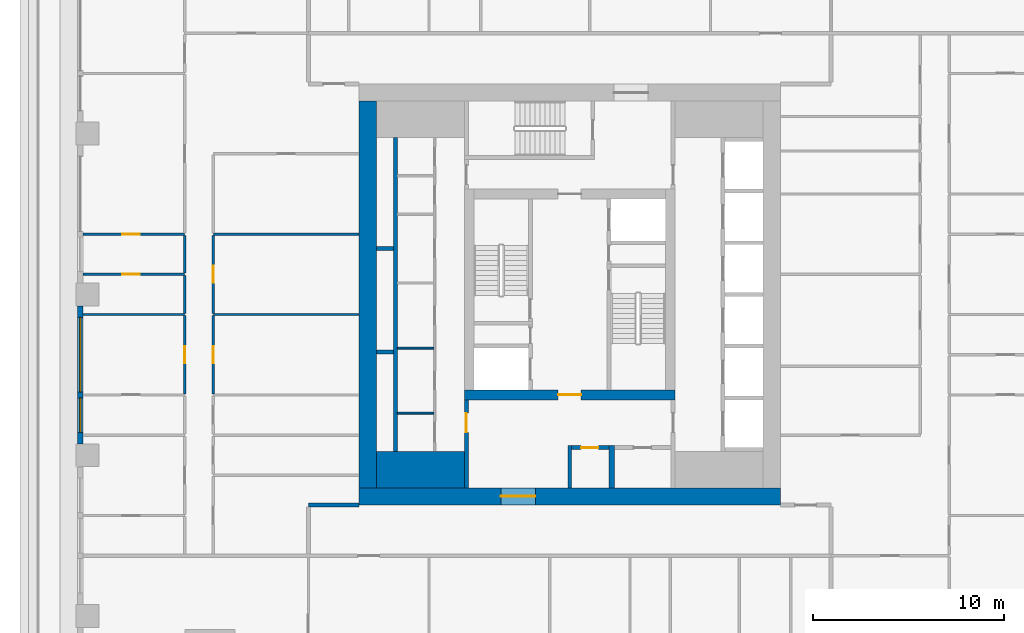
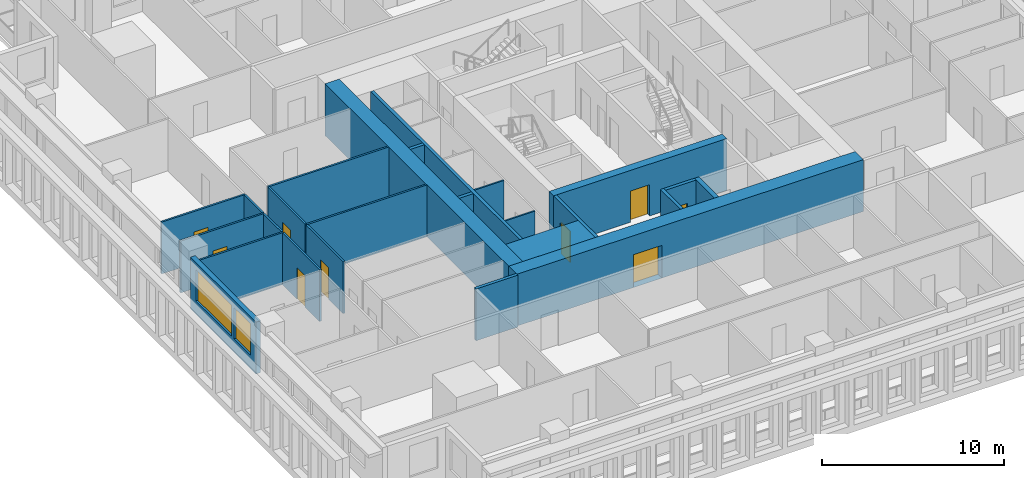
# One storey, part 3 of 16: 25 walls, 9 doors, 2 windows, 11 openings.
"""IFC4 building model written with IfcOpenShell, lengths in metres."""

from ifc_helpers import new_model, si_unit, direction, frame, frame_2d, origin, place, context, subcontext, project, spatial, rectangle, extrude, material, layer, layer_set, type_object, element, fill, save


model = new_model("IFC4")

# Units and contexts
model_context = context("Model", 3, precision=1e-05, world=origin(), true_north=direction((0.0, 1.0)))
body_context = subcontext(model_context, "Body", "Model", "MODEL_VIEW")
ifc_project = project(units=[si_unit("LENGTHUNIT", "METRE"), si_unit("AREAUNIT", "SQUARE_METRE"), si_unit("VOLUMEUNIT", "CUBIC_METRE"), si_unit("PLANEANGLEUNIT", "RADIAN"), si_unit("MASSUNIT", "GRAM", prefix="KILO")], contexts=[model_context])

# Site, building, storey
site_placement = place(None, origin())
site = spatial("IfcSite", under=ifc_project, at=site_placement, CompositionType="ELEMENT")
building_placement = place(site_placement, origin())
building = spatial("IfcBuilding", under=site, at=building_placement, Name="Khepri Terraces", CompositionType="ELEMENT")
storey_placement = place(building_placement, frame((0.0, 0.0, 149.39990234375)))
storey = spatial("IfcBuildingStorey", under=building, at=storey_placement, Name="L35", CompositionType="ELEMENT", Elevation=149.39990234375)

# Walls
ifc_material_1 = material(Name="Concrete C60/75", Category="concrete")
ifc_layer_1 = layer(ifc_material_1, 1.89990234375, Name="Concrete C60/75", Category="concrete")
ifc_layer_set_1 = layer_set([ifc_layer_1], Name="Concrete C60/75")
wall_type_1 = type_object("IfcWallType", Name="Core wall 1900 C60/75", PredefinedType="SHEAR", material=ifc_layer_set_1)
wall_1_placement = place(storey_placement, frame((-10.10009765625, -9.14990234375, 0.0), z_axis=(0.0, 0.0, 1.0), x_axis=(1.0, 0.0, 0.0)))
element("IfcWall", 1, at=wall_1_placement, inside=storey, type_object=wall_type_1, Name="Core wall PR01 L35", PredefinedType="SHEAR", context=body_context, shape_type="SweptSolid", body=[
    extrude(rectangle(XDim=4.60009765625, YDim=1.89990234375, at=frame_2d((2.300048828125, 0.0))), origin(), (0.0, 0.0, 1.0), 3.47998046875),
])
ifc_layer_2 = layer(ifc_material_1, 0.199951171875, Name="Concrete C60/75", Category="concrete")
ifc_layer_set_2 = layer_set([ifc_layer_2], Name="Concrete C60/75")
wall_type_2 = type_object("IfcWallType", Name="Core wall 200 C60/75", PredefinedType="SHEAR", material=ifc_layer_set_2)
wall_2_placement = place(storey_placement, frame((-9.10009765625, -8.199951171875, 0.0), z_axis=(0.0, 0.0, 1.0), x_axis=(0.0, 1.0, 0.0)))
element("IfcWall", 2, at=wall_2_placement, inside=storey, type_object=wall_type_2, Name="Core wall SH01 L35", PredefinedType="SHEAR", context=body_context, shape_type="SweptSolid", body=[
    extrude(rectangle(XDim=16.39990234375, YDim=0.199951171875, at=frame_2d((8.199951171875, 0.0))), origin(), (0.0, 0.0, 1.0), 3.47998046875),
])
for number, where, z_axis, x_axis, name in (
    (3, (-10.10009765625, -3.0, 0.0), (0.0, 0.0, 1.0), (1.0, 0.0, 0.0), "Core wall SH06 L35"),
    (4, (-10.10009765625, 2.39990234375, 0.0), (0.0, 0.0, 1.0), (1.0, 0.0, 0.0), "Core wall SH11 L35"),
):
    element("IfcWall", number, at=place(storey_placement, frame(where, z_axis=z_axis, x_axis=x_axis)), inside=storey, type_object=wall_type_2, Name=name, PredefinedType="SHEAR", context=body_context, shape_type="SweptSolid", body=[
        extrude(rectangle(XDim=0.900146484375, YDim=0.199951171875, at=frame_2d((0.4501953125, 0.0))), origin(), (0.0, 0.0, 1.0), 3.47998046875),
    ])

# Wall, opening, door
ifc_layer_3 = layer(ifc_material_1, 0.5, Name="Concrete C60/75", Category="concrete")
ifc_layer_set_3 = layer_set([ifc_layer_3], Name="Concrete C60/75")
wall_type_3 = type_object("IfcWallType", Name="Core wall 500 C60/75", PredefinedType="SHEAR", material=ifc_layer_set_3)
wall_3_placement = place(storey_placement, frame((-5.5, -5.25, 0.0), z_axis=(0.0, 0.0, 1.0), x_axis=(1.0, 0.0, 0.0)))
wall_3 = element("IfcWall", 5, at=wall_3_placement, inside=storey, type_object=wall_type_3, Name="Core wall BX01 L35", PredefinedType="SHEAR", context=body_context, shape_type="SweptSolid", body=[
    extrude(rectangle(XDim=11.0, YDim=0.5, at=frame_2d((5.5, 0.0))), origin(), (0.0, 0.0, 1.0), 3.47998046875),
])
opening_1_placement = place(wall_3_placement, frame((4.89990234375, 0.0, 0.0)))
opening_1 = element("IfcOpeningElement", 6, at=opening_1_placement, cuts=wall_3, Name="Opening L35-C14", PredefinedType="OPENING", context=body_context, shape_type="SweptSolid", body=[
    extrude(rectangle(XDim=1.199951171875, YDim=2.10009765625, at=frame_2d((0.60009765625, 1.050048828125))), frame((0.0, 0.260009765625, 0.0), z_axis=(0.0, -1.0, 0.0), x_axis=(1.0, 0.0, 0.0)), (0.0, 0.0, 1.0), 0.52001953125),
])
ifc_material_2 = material(Name="Painted steel", Category="steel")
door_type_1 = type_object("IfcDoorType", Name="DR-CORE-FF-LOBBY-1200", OperationType="NOTDEFINED", PredefinedType="DOOR", material=ifc_material_2)
door_1_placement = place(opening_1_placement, origin())
door_1 = element("IfcDoor", 7, at=door_1_placement, inside=storey, type_object=door_type_1, Name="Firefighting lobby door L35-C14", OperationType="SINGLE_SWING_RIGHT", OverallHeight=2.10009765625, OverallWidth=1.199951171875, PredefinedType="DOOR", context=body_context, shape_type="SweptSolid", body=[
    extrude(rectangle(XDim=1.199951171875, YDim=2.10009765625, at=frame_2d((0.60009765625, 1.050048828125))), frame((0.0, 0.02490234375, 0.0), z_axis=(0.0, -1.0, 0.0), x_axis=(1.0, 0.0, 0.0)), (0.0, 0.0, 1.0), 0.050048828125),
])
fill(opening_1, door_1)

ifc_layer_4 = layer(ifc_material_1, 0.89990234375, Name="Concrete C60/75", Category="concrete")
ifc_layer_set_4 = layer_set([ifc_layer_4], Name="Concrete C60/75")
wall_type_4 = type_object("IfcWallType", Name="Core wall 900 C60/75", PredefinedType="SHEAR", material=ifc_layer_set_4)
wall_4_placement = place(storey_placement, frame((-11.0, -10.550048828125, 0.0), z_axis=(0.0, 0.0, 1.0), x_axis=(1.0, 0.0, 0.0)))
wall_4 = element("IfcWall", 8, at=wall_4_placement, inside=storey, type_object=wall_type_4, Name="Core wall OW-S L35", PredefinedType="SHEAR", context=body_context, shape_type="SweptSolid", body=[
    extrude(rectangle(XDim=22.0, YDim=0.89990234375, at=frame_2d((11.0, 0.0))), origin(), (0.0, 0.0, 1.0), 3.47998046875),
])
opening_2_placement = place(wall_4_placement, frame((7.39990234375, 0.0, 0.0)))
opening_2 = element("IfcOpeningElement", 9, at=opening_2_placement, cuts=wall_4, Name="Opening L35-C21", PredefinedType="OPENING", context=body_context, shape_type="SweptSolid", body=[
    extrude(rectangle(XDim=1.800048828125, YDim=2.199951171875, at=frame_2d((0.89990234375, 1.10009765625))), frame((0.0, 0.4599609375, 0.0), z_axis=(0.0, -1.0, 0.0), x_axis=(1.0, 0.0, 0.0)), (0.0, 0.0, 1.0), 0.919921875),
])
door_type_2 = type_object("IfcDoorType", Name="DR-CORE-ENTRANCE-1800", OperationType="NOTDEFINED", PredefinedType="DOOR", material=ifc_material_2)
door_2_placement = place(opening_2_placement, frame((1.800048828125, 0.0, 0.0), z_axis=(0.0, 0.0, 1.0), x_axis=(-1.0, 0.0, 0.0)))
door_2 = element("IfcDoor", 10, at=door_2_placement, inside=storey, type_object=door_type_2, Name="Core entrance door pair L35-C21", OperationType="DOUBLE_DOOR_SINGLE_SWING", OverallHeight=2.199951171875, OverallWidth=1.800048828125, PredefinedType="DOOR", context=body_context, shape_type="SweptSolid", body=[
    extrude(rectangle(XDim=1.800048828125, YDim=2.199951171875, at=frame_2d((0.89990234375, 1.10009765625))), frame((0.0, 0.02490234375, 0.0), z_axis=(0.0, -1.0, 0.0), x_axis=(1.0, 0.0, 0.0)), (0.0, 0.0, 1.0), 0.050048828125),
])
fill(opening_2, door_2)

# Walls
wall_5_placement = place(storey_placement, frame((-10.550048828125, -10.10009765625, 0.0), z_axis=(0.0, 0.0, 1.0), x_axis=(0.0, 1.0, 0.0)))
element("IfcWall", 11, at=wall_5_placement, inside=storey, type_object=wall_type_4, Name="Core wall OW-W L35", PredefinedType="SHEAR", context=body_context, shape_type="SweptSolid", body=[
    extrude(rectangle(XDim=20.2001953125, YDim=0.89990234375, at=frame_2d((10.10009765625, 0.0))), origin(), (0.0, 0.0, 1.0), 3.47998046875),
])
ifc_material_3 = material(Name="Fire-rated gypsum board partition")
ifc_layer_5 = layer(ifc_material_3, 0.10009765625, Name="Fire-rated gypsum board partition")
ifc_layer_set_5 = layer_set([ifc_layer_5], Name="Fire-rated gypsum board partition")
wall_type_5 = type_object("IfcWallType", Name="WL-CORE-PART-100", PredefinedType="PARTITIONING", material=ifc_layer_set_5)
for number, where, z_axis, x_axis, name in (
    (12, (-9.0, -6.199951171875, 0.0), (0.0, 0.0, 1.0), (1.0, 0.0, 0.0), "Core partition PT08 L35"),
    (13, (-9.0, -2.800048828125, 0.0), (0.0, 0.0, 1.0), (1.0, 0.0, 0.0), "Core partition PT09 L35"),
):
    element("IfcWall", number, at=place(storey_placement, frame(where, z_axis=z_axis, x_axis=x_axis)), inside=storey, type_object=wall_type_5, Name=name, PredefinedType="PARTITIONING", context=body_context, shape_type="SweptSolid", body=[
        extrude(rectangle(XDim=1.89990234375, YDim=0.10009765625, at=frame_2d((0.949951171875, 0.0))), origin(), (0.0, 0.0, 1.0), 3.47998046875),
    ])

# Wall, opening, door
ifc_layer_6 = layer(ifc_material_3, 0.199951171875, Name="Fire-rated gypsum board partition")
ifc_layer_set_6 = layer_set([ifc_layer_6], Name="Fire-rated gypsum board partition")
wall_type_6 = type_object("IfcWallType", Name="WL-CORE-PART-200", PredefinedType="PARTITIONING", material=ifc_layer_set_6)
wall_6_placement = place(storey_placement, frame((-5.39990234375, -10.10009765625, 0.0), z_axis=(0.0, 0.0, 1.0), x_axis=(0.0, 1.0, 0.0)))
wall_6 = element("IfcWall", 14, at=wall_6_placement, inside=storey, type_object=wall_type_6, Name="Core partition PT01 L35", PredefinedType="PARTITIONING", context=body_context, shape_type="SweptSolid", body=[
    extrude(rectangle(XDim=4.60009765625, YDim=0.199951171875, at=frame_2d((2.300048828125, 0.0))), origin(), (0.0, 0.0, 1.0), 3.47998046875),
])
opening_3_placement = place(wall_6_placement, frame((2.89990234375, 0.0, 0.0)))
opening_3 = element("IfcOpeningElement", 15, at=opening_3_placement, cuts=wall_6, Name="Opening L35-C18", PredefinedType="OPENING", context=body_context, shape_type="SweptSolid", body=[
    extrude(rectangle(XDim=1.0, YDim=2.10009765625, at=frame_2d((0.5, 1.050048828125))), frame((0.0, 0.10986328125, 0.0), z_axis=(0.0, -1.0, 0.0), x_axis=(1.0, 0.0, 0.0)), (0.0, 0.0, 1.0), 0.219970703125),
])
door_type_3 = type_object("IfcDoorType", Name="DR-CORE-LOBBY-1000", OperationType="NOTDEFINED", PredefinedType="DOOR", material=ifc_material_2)
door_3_placement = place(opening_3_placement, frame((1.0, 0.0, 0.0), z_axis=(0.0, 0.0, 1.0), x_axis=(-1.0, 0.0, 0.0)))
door_3 = element("IfcDoor", 16, at=door_3_placement, inside=storey, type_object=door_type_3, Name="Lobby door L35-C18", OperationType="SINGLE_SWING_LEFT", OverallHeight=2.10009765625, OverallWidth=1.0, PredefinedType="DOOR", context=body_context, shape_type="SweptSolid", body=[
    extrude(rectangle(XDim=1.0, YDim=2.10009765625, at=frame_2d((0.5, 1.050048828125))), frame((0.0, 0.02490234375, 0.0), z_axis=(0.0, -1.0, 0.0), x_axis=(1.0, 0.0, 0.0)), (0.0, 0.0, 1.0), 0.050048828125),
])
fill(opening_3, door_3)

# Wall
wall_7_placement = place(storey_placement, frame((0.0, -10.10009765625, 0.0), z_axis=(0.0, 0.0, 1.0), x_axis=(0.0, 1.0, 0.0)))
element("IfcWall", 17, at=wall_7_placement, inside=storey, type_object=wall_type_6, Name="Core partition PT02 L35", PredefinedType="PARTITIONING", context=body_context, shape_type="SweptSolid", body=[
    extrude(rectangle(XDim=2.2001953125, YDim=0.199951171875, at=frame_2d((1.10009765625, 0.0))), origin(), (0.0, 0.0, 1.0), 3.47998046875),
])

# Wall, opening, door
wall_8_placement = place(storey_placement, frame((0.10009765625, -8.0, 0.0), z_axis=(0.0, 0.0, 1.0), x_axis=(1.0, 0.0, 0.0)))
wall_8 = element("IfcWall", 18, at=wall_8_placement, inside=storey, type_object=wall_type_6, Name="Core partition PT06 L35", PredefinedType="PARTITIONING", context=body_context, shape_type="SweptSolid", body=[
    extrude(rectangle(XDim=1.949951171875, YDim=0.199951171875, at=frame_2d((0.97509765625, 0.0))), origin(), (0.0, 0.0, 1.0), 3.47998046875),
])
opening_4_placement = place(wall_8_placement, frame((0.5, 0.0, 0.0)))
opening_4 = element("IfcOpeningElement", 19, at=opening_4_placement, cuts=wall_8, Name="Opening L35-C22", PredefinedType="OPENING", context=body_context, shape_type="SweptSolid", body=[
    extrude(rectangle(XDim=0.89990234375, YDim=2.10009765625, at=frame_2d((0.449951171875, 1.050048828125))), frame((0.0, 0.10986328125, 0.0), z_axis=(0.0, -1.0, 0.0), x_axis=(1.0, 0.0, 0.0)), (0.0, 0.0, 1.0), 0.219970703125),
])
door_type_4 = type_object("IfcDoorType", Name="DR-CORE-SERVICE-900", OperationType="NOTDEFINED", PredefinedType="DOOR", material=ifc_material_2)
door_4_placement = place(opening_4_placement, frame((0.89990234375, 0.0, 0.0), z_axis=(0.0, 0.0, 1.0), x_axis=(-1.0, 0.0, 0.0)))
door_4 = element("IfcDoor", 20, at=door_4_placement, inside=storey, type_object=door_type_4, Name="Service room door L35-C22", OperationType="SINGLE_SWING_RIGHT", OverallHeight=2.10009765625, OverallWidth=0.89990234375, PredefinedType="DOOR", context=body_context, shape_type="SweptSolid", body=[
    extrude(rectangle(XDim=0.89990234375, YDim=2.10009765625, at=frame_2d((0.449951171875, 1.050048828125))), frame((0.0, 0.02490234375, 0.0), z_axis=(0.0, -1.0, 0.0), x_axis=(1.0, 0.0, 0.0)), (0.0, 0.0, 1.0), 0.050048828125),
])
fill(opening_4, door_4)

# Walls
ifc_layer_7 = layer(ifc_material_3, 0.300048828125, Name="Fire-rated gypsum board partition")
ifc_layer_set_7 = layer_set([ifc_layer_7], Name="Fire-rated gypsum board partition")
wall_type_7 = type_object("IfcWallType", Name="WL-CORE-PART-300", PredefinedType="PARTITIONING", material=ifc_layer_set_7)
wall_9_placement = place(storey_placement, frame((2.199951171875, -10.10009765625, 0.0), z_axis=(0.0, 0.0, 1.0), x_axis=(0.0, 1.0, 0.0)))
element("IfcWall", 21, at=wall_9_placement, inside=storey, type_object=wall_type_7, Name="Core partition PT03 L35", PredefinedType="PARTITIONING", context=body_context, shape_type="SweptSolid", body=[
    extrude(rectangle(XDim=2.2001953125, YDim=0.300048828125, at=frame_2d((1.10009765625, 0.0))), origin(), (0.0, 0.0, 1.0), 3.47998046875),
])
ifc_material_4 = material(Name="Fire-rated gypsum plasterboard partition, mineral wool")
ifc_layer_8 = layer(ifc_material_4, 0.199951171875, Name="Fire-rated gypsum plasterboard partition, mineral wool")
ifc_layer_set_8 = layer_set([ifc_layer_8], Name="Fire-rated gypsum plasterboard partition, mineral wool")
wall_type_8 = type_object("IfcWallType", Name="WL-CORR-200", PredefinedType="PARTITIONING", material=ifc_layer_set_8)
wall_10_placement = place(storey_placement, frame((-13.64990234375, -11.0, 0.0), z_axis=(0.0, 0.0, 1.0), x_axis=(1.0, 0.0, 0.0)))
element("IfcWall", 22, at=wall_10_placement, inside=storey, type_object=wall_type_8, Name="Partition P-030 L35", PredefinedType="PARTITIONING", context=body_context, shape_type="SweptSolid", body=[
    extrude(rectangle(XDim=2.64990234375, YDim=0.199951171875, at=frame_2d((1.324951171875, 0.0))), origin(), (0.0, 0.0, 1.0), 3.47998046875),
])

# Wall, openings, windows
ifc_material_5 = material(Name="Precast concrete C50/60 warm stone", Category="masonry")
ifc_layer_9 = layer(ifc_material_5, 0.300048828125, Name="Precast concrete C50/60 warm stone", Category="masonry")
ifc_layer_set_9 = layer_set([ifc_layer_9], Name="Precast concrete C50/60 warm stone")
wall_type_9 = type_object("IfcWallType", Name="WL-EXT-PRECAST-300", PredefinedType="STANDARD", material=ifc_layer_set_9)
wall_11_placement = place(storey_placement, frame((-25.570068359375, -0.60009765625, 0.0), z_axis=(0.0, 0.0, 1.0), x_axis=(0.0, -1.0, 0.0)))
wall_11 = element("IfcWall", 23, at=wall_11_placement, inside=storey, type_object=wall_type_9, Name="External wall L35 W", PredefinedType="STANDARD", context=body_context, shape_type="SweptSolid", body=[
    extrude(rectangle(XDim=7.199951171875, YDim=0.300048828125, at=frame_2d((3.60009765625, 0.0))), origin(), (0.0, 0.0, 1.0), 3.47998046875),
])
opening_5_placement = place(wall_11_placement, frame((0.60009765625, 0.0, 0.89990234375)))
opening_5 = element("IfcOpeningElement", 24, at=opening_5_placement, cuts=wall_11, Name="Opening W2", PredefinedType="OPENING", context=body_context, shape_type="SweptSolid", body=[
    extrude(rectangle(XDim=3.89990234375, YDim=2.10009765625, at=frame_2d((1.949951171875, 1.050048828125))), frame((0.0, 0.16015625, 0.0), z_axis=(0.0, -1.0, 0.0), x_axis=(1.0, 0.0, 0.0)), (0.0, 0.0, 1.0), 0.320068359375),
])
opening_6_placement = place(wall_11_placement, frame((4.800048828125, 0.0, 0.89990234375)))
opening_6 = element("IfcOpeningElement", 25, at=opening_6_placement, cuts=wall_11, Name="Opening W1", PredefinedType="OPENING", context=body_context, shape_type="SweptSolid", body=[
    extrude(rectangle(XDim=1.800048828125, YDim=2.10009765625, at=frame_2d((0.89990234375, 1.050048828125))), frame((0.0, 0.16015625, 0.0), z_axis=(0.0, -1.0, 0.0), x_axis=(1.0, 0.0, 0.0)), (0.0, 0.0, 1.0), 0.320068359375),
])
ifc_material_6 = material(Name="Clear glass", Category="glass")
window_type_1 = type_object("IfcWindowType", Name="WIN-RES-1800x2100", PartitioningType="SINGLE_PANEL", PredefinedType="WINDOW", material=ifc_material_6)
window_1_placement = place(opening_6_placement, origin())
window_1 = element("IfcWindow", 26, at=window_1_placement, inside=storey, type_object=window_type_1, Name="Window L35 W", OverallHeight=2.10009765625, OverallWidth=1.800048828125, PartitioningType="SINGLE_PANEL", PredefinedType="WINDOW", context=body_context, shape_type="SweptSolid", body=[
    extrude(rectangle(XDim=1.800048828125, YDim=2.10009765625, at=frame_2d((0.89990234375, 1.050048828125))), frame((0.0, 0.030029296875, 0.0), z_axis=(0.0, -1.0, 0.0), x_axis=(1.0, 0.0, 0.0)), (0.0, 0.0, 1.0), 0.06005859375),
])
fill(opening_6, window_1)
window_type_2 = type_object("IfcWindowType", Name="WIN-RES-3900x2100", PartitioningType="SINGLE_PANEL", PredefinedType="WINDOW", material=ifc_material_6)
window_2_placement = place(opening_5_placement, origin())
window_2 = element("IfcWindow", 27, at=window_2_placement, inside=storey, type_object=window_type_2, Name="Window L35 W", OverallHeight=2.10009765625, OverallWidth=3.89990234375, PartitioningType="SINGLE_PANEL", PredefinedType="WINDOW", context=body_context, shape_type="SweptSolid", body=[
    extrude(rectangle(XDim=3.89990234375, YDim=2.10009765625, at=frame_2d((1.949951171875, 1.050048828125))), frame((0.0, 0.030029296875, 0.0), z_axis=(0.0, -1.0, 0.0), x_axis=(1.0, 0.0, 0.0)), (0.0, 0.0, 1.0), 0.06005859375),
])
fill(opening_5, window_2)

# Wall, opening, door
ifc_material_7 = material(Name="Gypsum plasterboard partition")
ifc_layer_10 = layer(ifc_material_7, 0.1201171875, Name="Gypsum plasterboard partition")
ifc_layer_set_10 = layer_set([ifc_layer_10], Name="Gypsum plasterboard partition")
wall_type_10 = type_object("IfcWallType", Name="WL-PART-120", PredefinedType="PARTITIONING", material=ifc_layer_set_10)
wall_12_placement = place(storey_placement, frame((-20.1201171875, -5.18994140625, 0.0), z_axis=(0.0, 0.0, 1.0), x_axis=(0.0, 1.0, 0.0)))
wall_12 = element("IfcWall", 28, at=wall_12_placement, inside=storey, type_object=wall_type_10, Name="Partition P-043 L35", PredefinedType="PARTITIONING", context=body_context, shape_type="SweptSolid", body=[
    extrude(rectangle(XDim=4.079833984375, YDim=0.1201171875, at=frame_2d((2.0400390625, 0.0))), origin(), (0.0, 0.0, 1.0), 3.47998046875),
])
opening_7_placement = place(wall_12_placement, frame((1.590087890625, 0.0, 0.0)))
opening_7 = element("IfcOpeningElement", 29, at=opening_7_placement, cuts=wall_12, Name="Opening D3", PredefinedType="OPENING", context=body_context, shape_type="SweptSolid", body=[
    extrude(rectangle(XDim=0.89990234375, YDim=2.10009765625, at=frame_2d((0.449951171875, 1.050048828125))), frame((0.0, 0.070068359375, 0.0), z_axis=(0.0, -1.0, 0.0), x_axis=(1.0, 0.0, 0.0)), (0.0, 0.0, 1.0), 0.14013671875),
])
ifc_material_8 = material(Name="Timber door leaf", Category="wood")
door_type_5 = type_object("IfcDoorType", Name="DR-INT-900", OperationType="NOTDEFINED", PredefinedType="DOOR", material=ifc_material_8)
door_5_placement = place(opening_7_placement, origin())
door_5 = element("IfcDoor", 30, at=door_5_placement, inside=storey, type_object=door_type_5, Name="Door Bedroom", OperationType="SINGLE_SWING_RIGHT", OverallHeight=2.10009765625, OverallWidth=0.89990234375, PredefinedType="DOOR", context=body_context, shape_type="SweptSolid", body=[
    extrude(rectangle(XDim=0.89990234375, YDim=2.10009765625, at=frame_2d((0.449951171875, 1.050048828125))), frame((0.0, 0.02490234375, 0.0), z_axis=(0.0, -1.0, 0.0), x_axis=(1.0, 0.0, 0.0)), (0.0, 0.0, 1.0), 0.050048828125),
])
fill(opening_7, door_5)

wall_13_placement = place(storey_placement, frame((-18.6201171875, -5.18994140625, 0.0), z_axis=(0.0, 0.0, 1.0), x_axis=(0.0, 1.0, 0.0)))
wall_13 = element("IfcWall", 31, at=wall_13_placement, inside=storey, type_object=wall_type_10, Name="Partition P-044 L35", PredefinedType="PARTITIONING", context=body_context, shape_type="SweptSolid", body=[
    extrude(rectangle(XDim=4.079833984375, YDim=0.1201171875, at=frame_2d((2.0400390625, 0.0))), origin(), (0.0, 0.0, 1.0), 3.47998046875),
])
opening_8_placement = place(wall_13_placement, frame((1.590087890625, 0.0, 0.0)))
opening_8 = element("IfcOpeningElement", 32, at=opening_8_placement, cuts=wall_13, Name="Opening D3", PredefinedType="OPENING", context=body_context, shape_type="SweptSolid", body=[
    extrude(rectangle(XDim=0.89990234375, YDim=2.10009765625, at=frame_2d((0.449951171875, 1.050048828125))), frame((0.0, 0.070068359375, 0.0), z_axis=(0.0, -1.0, 0.0), x_axis=(1.0, 0.0, 0.0)), (0.0, 0.0, 1.0), 0.14013671875),
])
door_6_placement = place(opening_8_placement, frame((0.89990234375, 0.0, 0.0), z_axis=(0.0, 0.0, 1.0), x_axis=(-1.0, 0.0, 0.0)))
door_6 = element("IfcDoor", 33, at=door_6_placement, inside=storey, type_object=door_type_5, Name="Door Staff Bedroom", OperationType="SINGLE_SWING_LEFT", OverallHeight=2.10009765625, OverallWidth=0.89990234375, PredefinedType="DOOR", context=body_context, shape_type="SweptSolid", body=[
    extrude(rectangle(XDim=0.89990234375, YDim=2.10009765625, at=frame_2d((0.449951171875, 1.050048828125))), frame((0.0, 0.02490234375, 0.0), z_axis=(0.0, -1.0, 0.0), x_axis=(1.0, 0.0, 0.0)), (0.0, 0.0, 1.0), 0.050048828125),
])
fill(opening_8, door_6)

# Walls
wall_14_placement = place(storey_placement, frame((-25.419921875, -1.050048828125, 0.0), z_axis=(0.0, 0.0, 1.0), x_axis=(1.0, 0.0, 0.0)))
element("IfcWall", 34, at=wall_14_placement, inside=storey, type_object=wall_type_10, Name="Partition P-050 L35", PredefinedType="PARTITIONING", context=body_context, shape_type="SweptSolid", body=[
    extrude(rectangle(XDim=5.2998046875, YDim=0.1201171875, at=frame_2d((2.64990234375, 0.0))), origin(), (0.0, 0.0, 1.0), 3.47998046875),
])
wall_15_placement = place(storey_placement, frame((-18.6201171875, -1.050048828125, 0.0), z_axis=(0.0, 0.0, 1.0), x_axis=(1.0, 0.0, 0.0)))
element("IfcWall", 35, at=wall_15_placement, inside=storey, type_object=wall_type_10, Name="Partition P-051 L35", PredefinedType="PARTITIONING", context=body_context, shape_type="SweptSolid", body=[
    extrude(rectangle(XDim=7.6201171875, YDim=0.1201171875, at=frame_2d((3.81005859375, 0.0))), origin(), (0.0, 0.0, 1.0), 3.47998046875),
])
wall_16_placement = place(storey_placement, frame((-20.1201171875, -0.989990234375, 0.0), z_axis=(0.0, 0.0, 1.0), x_axis=(0.0, 1.0, 0.0)))
element("IfcWall", 36, at=wall_16_placement, inside=storey, type_object=wall_type_10, Name="Partition P-053 L35", PredefinedType="PARTITIONING", context=body_context, shape_type="SweptSolid", body=[
    extrude(rectangle(XDim=1.97998046875, YDim=0.1201171875, at=frame_2d((0.989990234375, 0.0))), origin(), (0.0, 0.0, 1.0), 3.47998046875),
])

# Wall, opening, door
wall_17_placement = place(storey_placement, frame((-18.6201171875, -0.989990234375, 0.0), z_axis=(0.0, 0.0, 1.0), x_axis=(0.0, 1.0, 0.0)))
wall_17 = element("IfcWall", 37, at=wall_17_placement, inside=storey, type_object=wall_type_10, Name="Partition P-054 L35", PredefinedType="PARTITIONING", context=body_context, shape_type="SweptSolid", body=[
    extrude(rectangle(XDim=4.080078125, YDim=0.1201171875, at=frame_2d((2.0400390625, 0.0))), origin(), (0.0, 0.0, 1.0), 3.47998046875),
])
opening_9_placement = place(wall_17_placement, frame((1.590087890625, 0.0, 0.0)))
opening_9 = element("IfcOpeningElement", 38, at=opening_9_placement, cuts=wall_17, Name="Opening D3", PredefinedType="OPENING", context=body_context, shape_type="SweptSolid", body=[
    extrude(rectangle(XDim=0.89990234375, YDim=2.10009765625, at=frame_2d((0.449951171875, 1.050048828125))), frame((0.0, 0.070068359375, 0.0), z_axis=(0.0, -1.0, 0.0), x_axis=(1.0, 0.0, 0.0)), (0.0, 0.0, 1.0), 0.14013671875),
])
door_7_placement = place(opening_9_placement, frame((0.89990234375, 0.0, 0.0), z_axis=(0.0, 0.0, 1.0), x_axis=(-1.0, 0.0, 0.0)))
door_7 = element("IfcDoor", 39, at=door_7_placement, inside=storey, type_object=door_type_5, Name="Door Service Store", OperationType="SINGLE_SWING_LEFT", OverallHeight=2.10009765625, OverallWidth=0.89990234375, PredefinedType="DOOR", context=body_context, shape_type="SweptSolid", body=[
    extrude(rectangle(XDim=0.89990234375, YDim=2.10009765625, at=frame_2d((0.449951171875, 1.050048828125))), frame((0.0, 0.02490234375, 0.0), z_axis=(0.0, -1.0, 0.0), x_axis=(1.0, 0.0, 0.0)), (0.0, 0.0, 1.0), 0.050048828125),
])
fill(opening_9, door_7)

wall_18_placement = place(storey_placement, frame((-25.419921875, 1.050048828125, 0.0), z_axis=(0.0, 0.0, 1.0), x_axis=(1.0, 0.0, 0.0)))
wall_18 = element("IfcWall", 40, at=wall_18_placement, inside=storey, type_object=wall_type_10, Name="Partition P-056 L35", PredefinedType="PARTITIONING", context=body_context, shape_type="SweptSolid", body=[
    extrude(rectangle(XDim=5.2998046875, YDim=0.1201171875, at=frame_2d((2.64990234375, 0.0))), origin(), (0.0, 0.0, 1.0), 3.47998046875),
])
opening_10_placement = place(wall_18_placement, frame((2.050048828125, 0.0, 0.0)))
opening_10 = element("IfcOpeningElement", 41, at=opening_10_placement, cuts=wall_18, Name="Opening D4", PredefinedType="OPENING", context=body_context, shape_type="SweptSolid", body=[
    extrude(rectangle(XDim=0.89990234375, YDim=2.10009765625, at=frame_2d((0.449951171875, 1.050048828125))), frame((0.0, 0.070068359375, 0.0), z_axis=(0.0, -1.0, 0.0), x_axis=(1.0, 0.0, 0.0)), (0.0, 0.0, 1.0), 0.14013671875),
])
ifc_material_9 = material(Name="Timber door leaf, moisture resistant", Category="wood")
door_type_6 = type_object("IfcDoorType", Name="DR-WET-900", OperationType="NOTDEFINED", PredefinedType="DOOR", material=ifc_material_9)
door_8_placement = place(opening_10_placement, frame((0.89990234375, 0.0, 0.0), z_axis=(0.0, 0.0, 1.0), x_axis=(-1.0, 0.0, 0.0)))
door_8 = element("IfcDoor", 42, at=door_8_placement, inside=storey, type_object=door_type_6, Name="Door Bathroom", OperationType="SINGLE_SWING_RIGHT", OverallHeight=2.10009765625, OverallWidth=0.89990234375, PredefinedType="DOOR", context=body_context, shape_type="SweptSolid", body=[
    extrude(rectangle(XDim=0.89990234375, YDim=2.10009765625, at=frame_2d((0.449951171875, 1.050048828125))), frame((0.0, 0.02490234375, 0.0), z_axis=(0.0, -1.0, 0.0), x_axis=(1.0, 0.0, 0.0)), (0.0, 0.0, 1.0), 0.050048828125),
])
fill(opening_10, door_8)

# Wall
wall_19_placement = place(storey_placement, frame((-20.1201171875, 1.110107421875, 0.0), z_axis=(0.0, 0.0, 1.0), x_axis=(0.0, 1.0, 0.0)))
element("IfcWall", 43, at=wall_19_placement, inside=storey, type_object=wall_type_10, Name="Partition P-058 L35", PredefinedType="PARTITIONING", context=body_context, shape_type="SweptSolid", body=[
    extrude(rectangle(XDim=1.97998046875, YDim=0.1201171875, at=frame_2d((0.989990234375, 0.0))), origin(), (0.0, 0.0, 1.0), 3.47998046875),
])

# Wall, opening, door
wall_20_placement = place(storey_placement, frame((-25.419921875, 3.14990234375, 0.0), z_axis=(0.0, 0.0, 1.0), x_axis=(1.0, 0.0, 0.0)))
wall_20 = element("IfcWall", 44, at=wall_20_placement, inside=storey, type_object=wall_type_10, Name="Partition P-060 L35", PredefinedType="PARTITIONING", context=body_context, shape_type="SweptSolid", body=[
    extrude(rectangle(XDim=5.2998046875, YDim=0.1201171875, at=frame_2d((2.64990234375, 0.0))), origin(), (0.0, 0.0, 1.0), 3.47998046875),
])
opening_11_placement = place(wall_20_placement, frame((2.050048828125, 0.0, 0.0)))
opening_11 = element("IfcOpeningElement", 45, at=opening_11_placement, cuts=wall_20, Name="Opening D3", PredefinedType="OPENING", context=body_context, shape_type="SweptSolid", body=[
    extrude(rectangle(XDim=0.89990234375, YDim=2.10009765625, at=frame_2d((0.449951171875, 1.050048828125))), frame((0.0, 0.070068359375, 0.0), z_axis=(0.0, -1.0, 0.0), x_axis=(1.0, 0.0, 0.0)), (0.0, 0.0, 1.0), 0.14013671875),
])
door_9_placement = place(opening_11_placement, frame((0.89990234375, 0.0, 0.0), z_axis=(0.0, 0.0, 1.0), x_axis=(-1.0, 0.0, 0.0)))
door_9 = element("IfcDoor", 46, at=door_9_placement, inside=storey, type_object=door_type_5, Name="Door Dressing Room", OperationType="SINGLE_SWING_RIGHT", OverallHeight=2.10009765625, OverallWidth=0.89990234375, PredefinedType="DOOR", context=body_context, shape_type="SweptSolid", body=[
    extrude(rectangle(XDim=0.89990234375, YDim=2.10009765625, at=frame_2d((0.449951171875, 1.050048828125))), frame((0.0, 0.02490234375, 0.0), z_axis=(0.0, -1.0, 0.0), x_axis=(1.0, 0.0, 0.0)), (0.0, 0.0, 1.0), 0.050048828125),
])
fill(opening_11, door_9)

# Wall
wall_21_placement = place(storey_placement, frame((-18.6201171875, 3.14990234375, 0.0), z_axis=(0.0, 0.0, 1.0), x_axis=(1.0, 0.0, 0.0)))
element("IfcWall", 47, at=wall_21_placement, inside=storey, type_object=wall_type_10, Name="Partition P-061 L35", PredefinedType="PARTITIONING", context=body_context, shape_type="SweptSolid", body=[
    extrude(rectangle(XDim=7.6201171875, YDim=0.1201171875, at=frame_2d((3.81005859375, 0.0))), origin(), (0.0, 0.0, 1.0), 3.47998046875),
])

save(model, "model.ifc")
